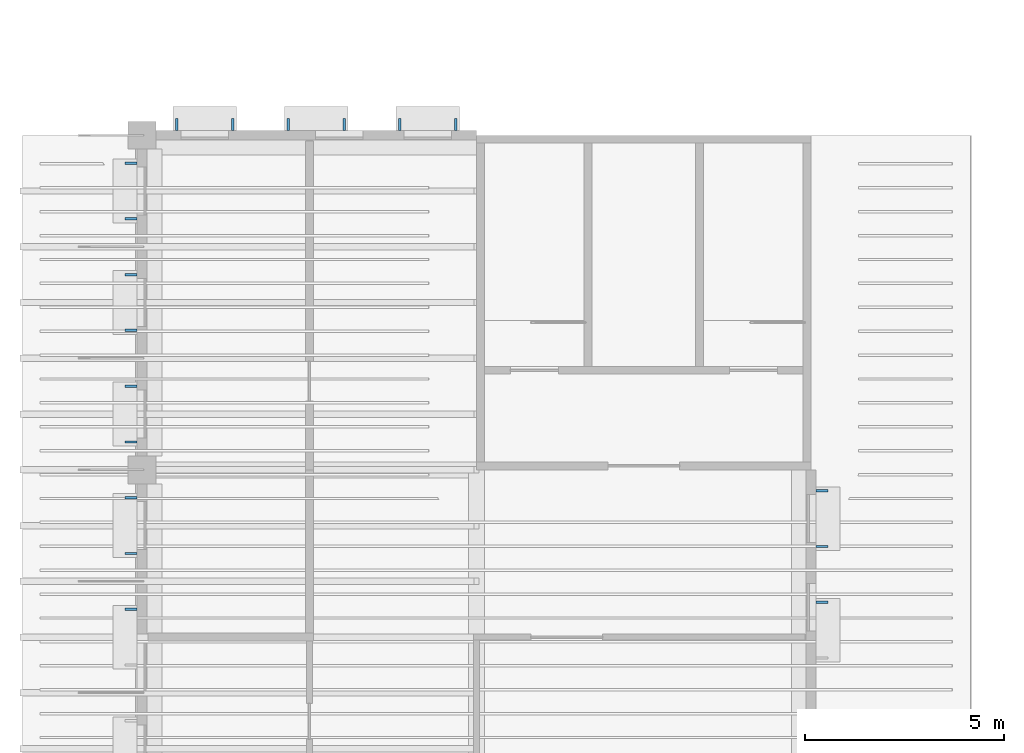
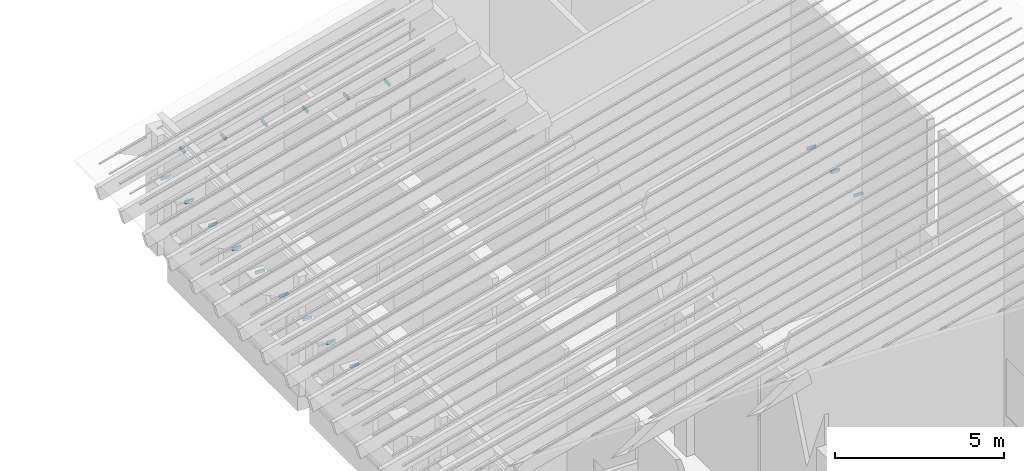
# One storey, part 37 of 82: 18 discrete accessories.
"""IFC4 building model written with IfcOpenShell, lengths in metres."""

from ifc_helpers import new_model, si_unit, direction, frame, origin, origin_2d, place, context, subcontext, project, spatial, rectangle, extrude, material, type_object, element, save


model = new_model("IFC4")

# Units and contexts
model_context = context("Model", 3, precision=1e-05, world=origin(), true_north=direction((0.0, 1.0)))
body_context = subcontext(model_context, "Body", "Model", "MODEL_VIEW")
ifc_project = project(units=[si_unit("LENGTHUNIT", "METRE"), si_unit("AREAUNIT", "SQUARE_METRE"), si_unit("VOLUMEUNIT", "CUBIC_METRE"), si_unit("PLANEANGLEUNIT", "RADIAN"), si_unit("MASSUNIT", "GRAM", prefix="KILO")], contexts=[model_context])

# Site, building, storey
site_placement = place(None, origin())
site = spatial("IfcSite", under=ifc_project, at=site_placement, CompositionType="ELEMENT")
building_placement = place(site_placement, origin())
building = spatial("IfcBuilding", under=site, at=building_placement, Name="Almond Square Museum", CompositionType="ELEMENT")
storey_placement = place(building_placement, frame((0.0, 0.0, 20.0)))
storey = spatial("IfcBuildingStorey", under=building, at=storey_placement, Name="L03", CompositionType="ELEMENT", Elevation=20.0)

# Discrete accessories
ifc_material = material(Name="Stainless steel", Category="steel")
discrete_accessory_type = type_object("IfcDiscreteAccessoryType", Name="Sun-shade blade bracket", PredefinedType="BRACKET", material=ifc_material)
for number, where, z_axis, x_axis, name in (
    (1, (23.072998046875, 63.875, 2.9970703125), (0.0, 0.0, 1.0), (1.0, 0.0, 0.0), "Bracket sun-shade blade"),
    (2, (23.072998046875, 65.27490234375, 2.9970703125), (0.0, 0.0, 1.0), (1.0, 0.0, 0.0), "Bracket sun-shade blade"),
    (3, (23.072998046875, 66.675048828125, 2.9970703125), (0.0, 0.0, 1.0), (1.0, 0.0, 0.0), "Bracket sun-shade blade"),
):
    element("IfcDiscreteAccessory", number, at=place(storey_placement, frame(where, z_axis=z_axis, x_axis=x_axis)), inside=storey, type_object=discrete_accessory_type, Name=name, PredefinedType="BRACKET", context=body_context, shape_type="SweptSolid", body=[
        extrude(rectangle(XDim=0.300048828125, YDim=0.06005859375, at=origin_2d()), origin(), (0.0, 0.0, 1.0), 0.10009765625),
    ])
for number, where, z_axis, x_axis, name in (
    (4, (6.875, 75.873046875, 2.9970703125), (0.0, 0.0, 1.0), (1.0, 0.0, 0.0), "Bracket sun-shade blade"),
    (5, (8.27490234375, 75.873046875, 2.9970703125), (0.0, 0.0, 1.0), (1.0, 0.0, 0.0), "Bracket sun-shade blade"),
    (6, (9.675048828125, 75.873046875, 2.9970703125), (0.0, 0.0, 1.0), (1.0, 0.0, 0.0), "Bracket sun-shade blade"),
    (7, (11.074951171875, 75.873046875, 2.9970703125), (0.0, 0.0, 1.0), (1.0, 0.0, 0.0), "Bracket sun-shade blade"),
    (8, (12.47509765625, 75.873046875, 2.9970703125), (0.0, 0.0, 1.0), (1.0, 0.0, 0.0), "Bracket sun-shade blade"),
    (9, (13.875, 75.873046875, 2.9970703125), (0.0, 0.0, 1.0), (1.0, 0.0, 0.0), "Bracket sun-shade blade"),
):
    element("IfcDiscreteAccessory", number, at=place(storey_placement, frame(where, z_axis=z_axis, x_axis=x_axis)), inside=storey, type_object=discrete_accessory_type, Name=name, PredefinedType="BRACKET", context=body_context, shape_type="SweptSolid", body=[
        extrude(rectangle(XDim=0.06005859375, YDim=0.300048828125, at=origin_2d()), origin(), (0.0, 0.0, 1.0), 0.10009765625),
    ])
for number, where, z_axis, x_axis, name in (
    (10, (5.72705078125, 67.89990234375, 2.9970703125), (0.0, 0.0, 1.0), (1.0, 0.0, 0.0), "Bracket sun-shade blade"),
    (11, (5.72705078125, 69.300048828125, 2.9970703125), (0.0, 0.0, 1.0), (1.0, 0.0, 0.0), "Bracket sun-shade blade"),
    (12, (5.72705078125, 70.699951171875, 2.9970703125), (0.0, 0.0, 1.0), (1.0, 0.0, 0.0), "Bracket sun-shade blade"),
    (13, (5.72705078125, 72.10009765625, 2.9970703125), (0.0, 0.0, 1.0), (1.0, 0.0, 0.0), "Bracket sun-shade blade"),
    (14, (5.72705078125, 73.5, 2.9970703125), (0.0, 0.0, 1.0), (1.0, 0.0, 0.0), "Bracket sun-shade blade"),
    (15, (5.72705078125, 74.89990234375, 2.9970703125), (0.0, 0.0, 1.0), (1.0, 0.0, 0.0), "Bracket sun-shade blade"),
    (16, (5.72705078125, 63.699951171875, 2.9970703125), (0.0, 0.0, 1.0), (1.0, 0.0, 0.0), "Bracket sun-shade blade"),
    (17, (5.72705078125, 65.10009765625, 2.9970703125), (0.0, 0.0, 1.0), (1.0, 0.0, 0.0), "Bracket sun-shade blade"),
    (18, (5.72705078125, 66.5, 2.9970703125), (0.0, 0.0, 1.0), (1.0, 0.0, 0.0), "Bracket sun-shade blade"),
):
    element("IfcDiscreteAccessory", number, at=place(storey_placement, frame(where, z_axis=z_axis, x_axis=x_axis)), inside=storey, type_object=discrete_accessory_type, Name=name, PredefinedType="BRACKET", context=body_context, shape_type="SweptSolid", body=[
        extrude(rectangle(XDim=0.300048828125, YDim=0.06005859375, at=origin_2d()), origin(), (0.0, 0.0, 1.0), 0.10009765625),
    ])

save(model, "model.ifc")
